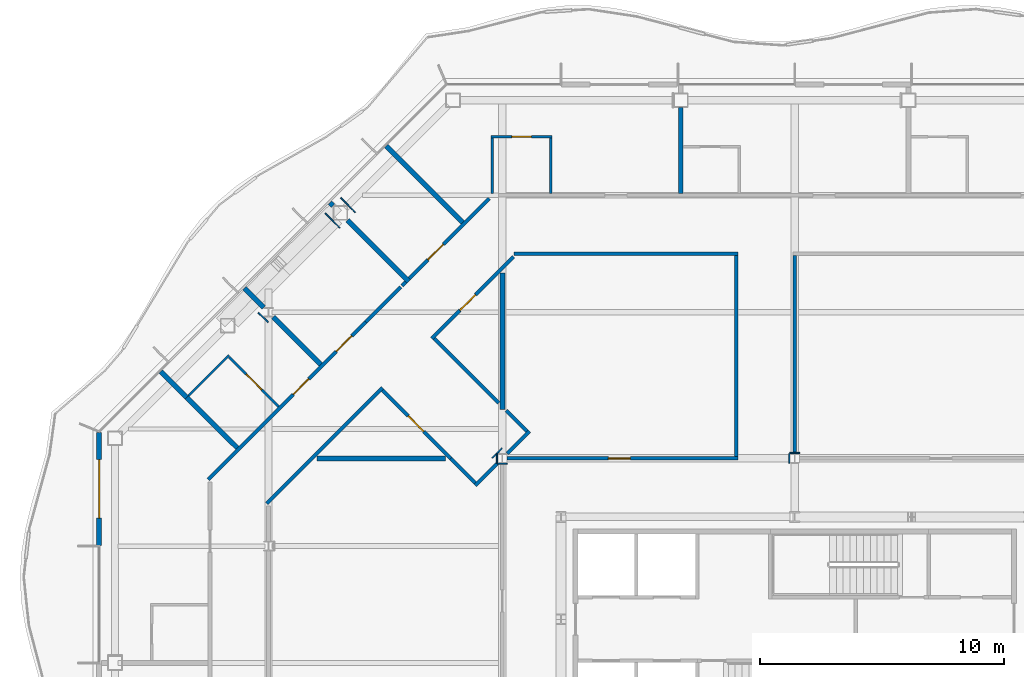
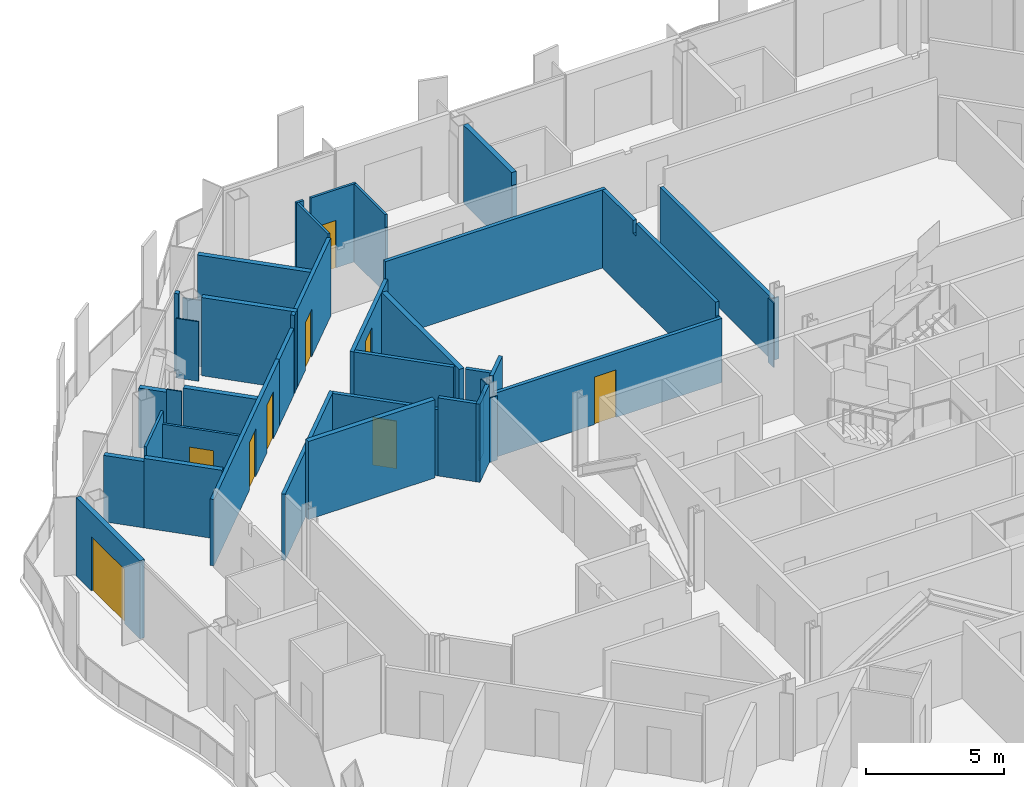
# One storey, part 12 of 21: 40 walls, 9 doors, 9 openings.
"""IFC4 building model written with IfcOpenShell, lengths in metres."""

import ifcopenshell
import ifcopenshell.guid

model = None  # the IFC model being written
_history = None  # IfcOwnerHistory: only IFC2X3 demands one
_inside = {}  # id of a spatial element -> (the spatial element, [elements in it])
_under = {}  # id of a project, library or spatial element -> (it, [spatial elements below it])
_declared = {}  # id of a project -> (the project, [libraries it declares])
_typed = {}  # id of a type object -> (the type object, [elements of that type])
_made_of = {}  # id of a material, layer set ... -> (it, [elements and type objects made of it])


def new_model(schema):
    """Start an empty IFC model of exactly this schema.

    Asked for "IFC4X3", IfcOpenShell would pick the latest addendum, in which some entities
    have other attributes; the version numbers below select the first issue.
    IFC2X3 requires an IfcOwnerHistory on every rooted entity: one is made here for all.
    """
    global model, _history
    if schema == "IFC4X3":
        model = ifcopenshell.file(schema_version=(4, 3, 0, 0))
    else:
        model = ifcopenshell.file(schema=schema)
    _inside.clear()
    _under.clear()
    _declared.clear()
    _typed.clear()
    _made_of.clear()
    _history = None
    if model.schema == "IFC2X3":
        org = make("IfcOrganization", Name="unknown")
        user = make(
            "IfcPersonAndOrganization",
            ThePerson=make("IfcPerson", FamilyName="unknown"),
            TheOrganization=org,
        )
        app = make(
            "IfcApplication",
            ApplicationDeveloper=org,
            Version="unknown",
            ApplicationFullName="unknown",
            ApplicationIdentifier="unknown",
        )
        _history = make(
            "IfcOwnerHistory",
            OwningUser=user,
            OwningApplication=app,
            ChangeAction="ADDED",
            CreationDate=0,
        )
    return model


def make(cls, **values):
    """One entity of the class cls with the attributes given. An attribute that is None is left unset."""
    return model.create_entity(
        cls, **{name: value for name, value in values.items() if value is not None}
    )


def rooted(cls, **values):
    """An entity with a GlobalId (a new one), such as an element, a storey or a relation."""
    return make(cls, GlobalId=ifcopenshell.guid.new(), OwnerHistory=_history, **values)


def si_unit(unit_type, name, prefix=None):
    """IfcSIUnit, for example si_unit("LENGTHUNIT", "METRE", prefix="MILLI")."""
    return make("IfcSIUnit", UnitType=unit_type, Prefix=prefix, Name=name)


def assignment(units):
    """IfcUnitAssignment: the units of a project."""
    return None if units is None else make("IfcUnitAssignment", Units=units)


def point(xyz):
    """IfcCartesianPoint."""
    return None if xyz is None else make("IfcCartesianPoint", Coordinates=xyz)


def direction(xyz):
    """IfcDirection."""
    return None if xyz is None else make("IfcDirection", DirectionRatios=xyz)


def frame(location, z_axis=None, x_axis=None):
    """IfcAxis2Placement3D, a coordinate frame: its origin and axes. An axis left out is left unset."""
    return make(
        "IfcAxis2Placement3D",
        Location=point(location),
        Axis=direction(z_axis),
        RefDirection=direction(x_axis),
    )


def frame_2d(location, x_axis=None):
    """IfcAxis2Placement2D, a coordinate frame in the plane: its origin and x axis."""
    return make(
        "IfcAxis2Placement2D", Location=point(location), RefDirection=direction(x_axis)
    )


def origin():
    """The frame at (0, 0, 0) with its axes left unset."""
    return frame((0.0, 0.0, 0.0))


def place(relative_to, where):
    """IfcLocalPlacement: puts the frame where relative to a parent placement (None: the world)."""
    return make(
        "IfcLocalPlacement", PlacementRelTo=relative_to, RelativePlacement=where
    )


def context(
    kind, dimensions, precision=None, world=None, true_north=None, identifier=None
):
    """IfcGeometricRepresentationContext, for example the 3D "Model" context."""
    return make(
        "IfcGeometricRepresentationContext",
        ContextIdentifier=identifier,
        ContextType=kind,
        CoordinateSpaceDimension=dimensions,
        Precision=precision,
        WorldCoordinateSystem=world,
        TrueNorth=true_north,
    )


def subcontext(parent, identifier, kind, view, scale=None):
    """IfcGeometricRepresentationSubContext, for example "Body" below "Model"."""
    return make(
        "IfcGeometricRepresentationSubContext",
        ContextIdentifier=identifier,
        ContextType=kind,
        ParentContext=parent,
        TargetScale=scale,
        TargetView=view,
    )


def project(units=None, contexts=None):
    """IfcProject with its units and contexts."""
    return rooted(
        "IfcProject",
        Name="project",
        RepresentationContexts=contexts,
        UnitsInContext=assignment(units),
    )


def spatial(cls, under=None, at=None, **own):
    """A site, building, storey or space (cls), placed at a placement, below another one or the project."""
    s = rooted(cls, ObjectPlacement=at, **own)
    if under is not None:
        _under.setdefault(under.id(), (under, []))[1].append(s)
    return s


def polyline(points):
    """IfcPolyline through the points."""
    return make("IfcPolyline", Points=[point(p) for p in points])


def profile(cls, at=None, kind="AREA", **sizes):
    """A parametric profile (cls). Its sizes go by their IFC names, for example OverallWidth=200.0."""
    return make(cls, ProfileType=kind, Position=at, **sizes)


def rectangle(**sizes):
    """IfcRectangleProfileDef."""
    return profile("IfcRectangleProfileDef", **sizes)


def outline(outer, holes=None, kind="AREA"):
    """IfcArbitraryClosedProfileDef: a profile drawn as a closed curve; with holes, ...WithVoids."""
    if holes is None:
        return make("IfcArbitraryClosedProfileDef", ProfileType=kind, OuterCurve=outer)
    return make(
        "IfcArbitraryProfileDefWithVoids",
        ProfileType=kind,
        OuterCurve=outer,
        InnerCurves=holes,
    )


def extrude(swept, where, along, depth):
    """IfcExtrudedAreaSolid: the profile swept, set in the frame where, extruded along a direction by depth."""
    return make(
        "IfcExtrudedAreaSolid",
        SweptArea=swept,
        Position=where,
        ExtrudedDirection=direction(along),
        Depth=depth,
    )


def shape(context_of_items, identifier, shape_type, items):
    """IfcShapeRepresentation: the items that make up one representation, for example the "Body"."""
    return make(
        "IfcShapeRepresentation",
        ContextOfItems=context_of_items,
        RepresentationIdentifier=identifier,
        RepresentationType=shape_type,
        Items=items,
    )


def material(Name=None, Category=None):
    """IfcMaterial."""
    return make("IfcMaterial", Name=Name, Category=Category)


def layer(
    of_material, thickness, ventilated=None, Name=None, Category=None, Priority=None
):
    """IfcMaterialLayer: one layer of a wall or slab, of a material (None: an air gap)."""
    return make(
        "IfcMaterialLayer",
        Material=of_material,
        LayerThickness=thickness,
        IsVentilated=ventilated,
        Name=Name,
        Category=Category,
        Priority=Priority,
    )


def layer_set(layers, Name=None):
    """IfcMaterialLayerSet."""
    return make("IfcMaterialLayerSet", MaterialLayers=layers, LayerSetName=Name)


def made_of(thing, what):
    """Note that an element or type object is made of a material, layer set ...; save() writes the relation."""
    if what is not None:
        _made_of.setdefault(what.id(), (what, []))[1].append(thing)
    return thing


def type_object(cls, material=None, **own):
    """A type object (cls), such as IfcWallType, which elements share."""
    return made_of(rooted(cls, **own), material)


def element(
    cls,
    number,
    at=None,
    inside=None,
    cuts=None,
    type_object=None,
    material=None,
    context=None,
    identifier="Body",
    shape_type=None,
    held_by="IfcProductDefinitionShape",
    body=None,
    shapes=None,
    **own,
):
    """One element of the class cls, such as IfcWall. Its Tag is "e" and its number.

    at: its placement. inside: the storey or other place that contains it. cuts: it is an
    opening in that element (IfcRelVoidsElement). A single representation is given by context,
    identifier, shape_type and body (its items); several are given by shapes. held_by: the class
    of the entity that holds the representations. save() writes the other relations.
    """
    e = rooted(cls, Tag="e%d" % number, ObjectPlacement=at, **own)
    if body is not None:
        shapes = [shape(context, identifier, shape_type, body)]
    if shapes is not None:
        e.Representation = make(held_by, Representations=shapes)
    if inside is not None:
        _inside.setdefault(inside.id(), (inside, []))[1].append(e)
    if cuts is not None:
        rooted(
            "IfcRelVoidsElement", RelatingBuildingElement=cuts, RelatedOpeningElement=e
        )
    if type_object is not None:
        _typed.setdefault(type_object.id(), (type_object, []))[1].append(e)
    return made_of(e, material)


def fill(opening, filler):
    """IfcRelFillsElement: the door or window that sits in an opening."""
    return rooted(
        "IfcRelFillsElement",
        RelatingOpeningElement=opening,
        RelatedBuildingElement=filler,
    )


def aggregate(whole, parts):
    """IfcRelAggregates: a whole, such as a stair, and the parts it consists of."""
    return rooted("IfcRelAggregates", RelatingObject=whole, RelatedObjects=parts)


def save(model, path):
    """Write the relations noted so far, then the file.

    IfcRelAggregates (storeys below a building ...), IfcRelContainedInSpatialStructure (elements
    in a storey), IfcRelDefinesByType, IfcRelAssociatesMaterial and IfcRelDeclares: one each for
    every whole, place, type object, material and project.
    """
    for whole, parts in _under.values():
        aggregate(whole, parts)
    for where, things in _inside.values():
        rooted(
            "IfcRelContainedInSpatialStructure",
            RelatedElements=things,
            RelatingStructure=where,
        )
    for kind, things in _typed.values():
        rooted("IfcRelDefinesByType", RelatedObjects=things, RelatingType=kind)
    for what, things in _made_of.values():
        rooted("IfcRelAssociatesMaterial", RelatedObjects=things, RelatingMaterial=what)
    for by, libraries in _declared.values():
        rooted("IfcRelDeclares", RelatingContext=by, RelatedDefinitions=libraries)
    model.write(path)


model = new_model("IFC4")

# Units and contexts
model_context = context("Model", 3, precision=1e-05, world=origin(), true_north=direction((0.0, 1.0)))
body_context = subcontext(model_context, "Body", "Model", "MODEL_VIEW")
ifc_project = project(units=[si_unit("LENGTHUNIT", "METRE"), si_unit("AREAUNIT", "SQUARE_METRE"), si_unit("VOLUMEUNIT", "CUBIC_METRE"), si_unit("PLANEANGLEUNIT", "RADIAN"), si_unit("MASSUNIT", "GRAM", prefix="KILO")], contexts=[model_context])

# Site, building, storey
site_placement = place(None, origin())
site = spatial("IfcSite", under=ifc_project, at=site_placement, CompositionType="ELEMENT")
building_placement = place(site_placement, origin())
building = spatial("IfcBuilding", under=site, at=building_placement, Name="Cairn Pilgrim Tower", CompositionType="ELEMENT")
storey_placement = place(building_placement, frame((0.0, 0.0, 168.60009765625)))
storey = spatial("IfcBuildingStorey", under=building, at=storey_placement, Name="L42", CompositionType="ELEMENT", Elevation=168.60009765625)

# Wall, opening, door
ifc_material_1 = material(Name="Bronze anodised aluminium insulated sandwich panel with mineral wool fill", Category="aluminium")
ifc_layer_1 = layer(ifc_material_1, 0.199951171875)
ifc_layer_set_1 = layer_set([ifc_layer_1], Name="BRONZE INFILL FRAME WALL 200")
wall_type_1 = type_object("IfcWallType", Name="BRONZE INFILL FRAME WALL 200", PredefinedType="NOTDEFINED", material=ifc_layer_set_1)
wall_1_placement = place(storey_placement, frame((-21.35009765625, 14.25634765625, 0.0), z_axis=(0.0, 0.0, 1.0), x_axis=(0.0, -1.0, 0.0)))
wall_1 = element("IfcWall", 1, at=wall_1_placement, inside=storey, type_object=wall_type_1, Name="Bronze infill frame wall IW-W1", PredefinedType="NOTDEFINED", context=body_context, shape_type="SweptSolid", body=[
    extrude(rectangle(XDim=4.62646484375, YDim=0.199951171875, at=frame_2d((2.313232421875, 0.0))), origin(), (0.0, 0.0, 1.0), 3.449951171875),
])
opening_1_placement = place(wall_1_placement, frame((1.1083984375, 0.0, 0.0)))
opening_1 = element("IfcOpeningElement", 2, at=opening_1_placement, cuts=wall_1, Name="Opening 4218B", PredefinedType="OPENING", context=body_context, shape_type="SweptSolid", body=[
    extrude(rectangle(XDim=2.39990234375, YDim=2.39990234375, at=frame_2d((1.199951171875, 1.199951171875))), frame((0.0, 0.10986328125, 0.0), z_axis=(0.0, -1.0, 0.0), x_axis=(1.0, 0.0, 0.0)), (0.0, 0.0, 1.0), 0.219970703125),
])
ifc_material_2 = material(Name="Bronze anodised aluminium frame with tinted low-E glass", Category="aluminium")
door_type_1 = type_object("IfcDoorType", Name="BALCONY SLIDING DOOR 2400x2400", OperationType="DOUBLE_DOOR_SLIDING", PredefinedType="DOOR", material=ifc_material_2)
door_1_placement = place(opening_1_placement, origin())
door_1 = element("IfcDoor", 3, at=door_1_placement, inside=storey, type_object=door_type_1, Name="Balcony sliding door 4218B", OperationType="SINGLE_SWING_LEFT", OverallHeight=2.39990234375, OverallWidth=2.39990234375, PredefinedType="DOOR", context=body_context, shape_type="SweptSolid", body=[
    extrude(rectangle(XDim=2.39990234375, YDim=2.39990234375, at=frame_2d((1.199951171875, 1.199951171875))), frame((0.0, 0.02490234375, 0.0), z_axis=(0.0, -1.0, 0.0), x_axis=(1.0, 0.0, 0.0)), (0.0, 0.0, 1.0), 0.050048828125),
])
fill(opening_1, door_1)

ifc_material_3 = material(Name="Gypsum partition")
ifc_layer_2 = layer(ifc_material_3, 0.10009765625)
ifc_layer_set_2 = layer_set([ifc_layer_2], Name="PARTITION 100 DRYWALL")
wall_type_2 = type_object("IfcWallType", Name="PARTITION 100 DRYWALL", PredefinedType="PARTITIONING", material=ifc_layer_set_2)
wall_2_placement = place(storey_placement, frame((-13.986083984375, 15.33203125, 0.0), z_axis=(0.0, 0.0, 1.0), x_axis=(-0.707106781187, 0.707106781187, 0.0)))
wall_2 = element("IfcWall", 4, at=wall_2_placement, inside=storey, type_object=wall_type_2, Name="PARTITION W093", PredefinedType="PARTITIONING", context=body_context, shape_type="SweptSolid", body=[
    extrude(rectangle(XDim=2.874267578125, YDim=0.10009765625, at=frame_2d((1.43701171875, 0.0))), origin(), (0.0, 0.0, 1.0), 2.929931640625),
])
opening_2_placement = place(wall_2_placement, frame((0.97509765625, 0.0, 0.0)))
opening_2 = element("IfcOpeningElement", 5, at=opening_2_placement, cuts=wall_2, Name="Opening 4217A", PredefinedType="OPENING", context=body_context, shape_type="SweptSolid", body=[
    extrude(rectangle(XDim=0.89990234375, YDim=2.10009765625, at=frame_2d((0.449951171875, 1.050048828125))), frame((0.0, 0.06005859375, 0.0), z_axis=(0.0, -1.0, 0.0), x_axis=(1.0, 0.0, 0.0)), (0.0, 0.0, 1.0), 0.1201171875),
])
ifc_material_4 = material(Name="Timber door leaf", Category="wood")
door_type_2 = type_object("IfcDoorType", Name="WC DOOR 900x2100", OperationType="NOTDEFINED", PredefinedType="DOOR", material=ifc_material_4)
door_2_placement = place(opening_2_placement, frame((0.89990234375, 0.0, 0.0), z_axis=(0.0, 0.0, 1.0), x_axis=(-1.0, 0.0, 0.0)))
door_2 = element("IfcDoor", 6, at=door_2_placement, inside=storey, type_object=door_type_2, Name="DOOR 4217A", OperationType="SINGLE_SWING_LEFT", OverallHeight=2.10009765625, OverallWidth=0.89990234375, PredefinedType="DOOR", context=body_context, shape_type="SweptSolid", body=[
    extrude(rectangle(XDim=0.89990234375, YDim=2.10009765625, at=frame_2d((0.449951171875, 1.050048828125))), frame((0.0, 0.02490234375, 0.0), z_axis=(0.0, -1.0, 0.0), x_axis=(1.0, 0.0, 0.0)), (0.0, 0.0, 1.0), 0.050048828125),
])
fill(opening_2, door_2)

# Walls
wall_3_placement = place(storey_placement, frame((-17.681396484375, 15.773681640625, 0.0), z_axis=(0.0, 0.0, 1.0), x_axis=(0.707314478862, 0.706899022487, 0.0)))
element("IfcWall", 7, at=wall_3_placement, inside=storey, type_object=wall_type_2, Name="PARTITION W097", PredefinedType="PARTITIONING", context=body_context, shape_type="SweptSolid", body=[
    extrude(rectangle(XDim=2.3505859375, YDim=0.10009765625, at=frame_2d((1.17529296875, 0.0))), origin(), (0.0, 0.0, 1.0), 3.449951171875),
])
wall_4_placement = place(storey_placement, frame((-5.2119140625, 24.074951171875, 0.0), z_axis=(0.0, 0.0, 1.0), x_axis=(0.0, 1.0, 0.0)))
element("IfcWall", 8, at=wall_4_placement, inside=storey, type_object=wall_type_2, Name="PARTITION W121", PredefinedType="PARTITIONING", context=body_context, shape_type="SweptSolid", body=[
    extrude(outline(polyline([(0.0, 0.0), (2.275146484375, 0.0), (2.27490234375, 3.449951171875), (0.010009765625, 3.449951171875), (0.008056640625, 3.06982421875), (0.0, 3.06982421875), (0.0, 0.0)])), frame((0.0, 0.050048828125, 0.0), z_axis=(0.0, -1.0, 0.0), x_axis=(1.0, 0.0, 0.0)), (0.0, 0.0, 1.0), 0.10009765625),
])
wall_5_placement = place(storey_placement, frame((-2.81201171875, 24.074951171875, 0.0), z_axis=(0.0, 0.0, 1.0), x_axis=(0.0, 1.0, 0.0)))
element("IfcWall", 9, at=wall_5_placement, inside=storey, type_object=wall_type_2, Name="PARTITION W122", PredefinedType="PARTITIONING", context=body_context, shape_type="SweptSolid", body=[
    extrude(outline(polyline([(0.0, 0.0), (2.275146484375, 0.0), (2.27490234375, 3.449951171875), (0.030029296875, 3.449951171875), (0.028076171875, 2.8798828125), (0.0, 2.8798828125), (0.0, 0.0)])), frame((0.0, 0.050048828125, 0.0), z_axis=(0.0, -1.0, 0.0), x_axis=(1.0, 0.0, 0.0)), (0.0, 0.0, 1.0), 0.10009765625),
])

# Wall, opening, door
wall_6_placement = place(storey_placement, frame((-5.261962890625, 26.39990234375, 0.0), z_axis=(0.0, 0.0, 1.0), x_axis=(1.0, 0.0, 0.0)))
wall_6 = element("IfcWall", 10, at=wall_6_placement, inside=storey, type_object=wall_type_2, Name="PARTITION W128", PredefinedType="PARTITIONING", context=body_context, shape_type="SweptSolid", body=[
    extrude(outline(polyline([(0.0, 0.0), (2.5, 0.0), (2.5, 3.449951171875), (0.612060546875, 3.449951171875), (0.610107421875, 2.72998046875), (0.31201171875, 2.72998046875), (0.31005859375, 3.449951171875), (0.0, 3.449951171875), (0.0, 0.0)])), frame((0.0, 0.050048828125, 0.0), z_axis=(0.0, -1.0, 0.0), x_axis=(1.0, 0.0, 0.0)), (0.0, 0.0, 1.0), 0.10009765625),
])
opening_3_placement = place(wall_6_placement, frame((0.85009765625, 0.0, 0.0)))
opening_3 = element("IfcOpeningElement", 11, at=opening_3_placement, cuts=wall_6, Name="Opening 4214A", PredefinedType="OPENING", context=body_context, shape_type="SweptSolid", body=[
    extrude(rectangle(XDim=0.800048828125, YDim=2.10009765625, at=frame_2d((0.39990234375, 1.050048828125))), frame((0.0, 0.06005859375, 0.0), z_axis=(0.0, -1.0, 0.0), x_axis=(1.0, 0.0, 0.0)), (0.0, 0.0, 1.0), 0.1201171875),
])
door_type_3 = type_object("IfcDoorType", Name="WC DOOR 800x2100", OperationType="NOTDEFINED", PredefinedType="DOOR", material=ifc_material_4)
door_3_placement = place(opening_3_placement, origin())
door_3 = element("IfcDoor", 12, at=door_3_placement, inside=storey, type_object=door_type_3, Name="DOOR 4214A", OperationType="SINGLE_SWING_LEFT", OverallHeight=2.10009765625, OverallWidth=0.800048828125, PredefinedType="DOOR", context=body_context, shape_type="SweptSolid", body=[
    extrude(rectangle(XDim=0.800048828125, YDim=2.10009765625, at=frame_2d((0.39990234375, 1.050048828125))), frame((0.0, 0.02490234375, 0.0), z_axis=(0.0, -1.0, 0.0), x_axis=(1.0, 0.0, 0.0)), (0.0, 0.0, 1.0), 0.050048828125),
])
fill(opening_3, door_3)

# Walls
ifc_layer_3 = layer(ifc_material_3, 0.14990234375)
ifc_layer_set_3 = layer_set([ifc_layer_3], Name="PARTITION 150 DRYWALL EI 60")
wall_type_3 = type_object("IfcWallType", Name="PARTITION 150 DRYWALL EI 60", PredefinedType="PARTITIONING", material=ifc_layer_set_3)
wall_7_placement = place(storey_placement, frame((-14.47509765625, 11.343017578125, 0.0), z_axis=(0.0, 0.0, 1.0), x_axis=(0.707124921665, 0.707088640243, 0.0)))
element("IfcWall", 13, at=wall_7_placement, inside=storey, type_object=wall_type_3, Name="PARTITION W069", PredefinedType="PARTITIONING", context=body_context, shape_type="SweptSolid", body=[
    extrude(rectangle(XDim=6.72900390625, YDim=0.14990234375, at=frame_2d((3.364501953125, 0.0))), origin(), (0.0, 0.0, 1.0), 2.929931640625),
])
wall_8_placement = place(storey_placement, frame((-5.9140625, 12.0859375, 0.0), z_axis=(0.0, 0.0, 1.0), x_axis=(0.707106781187, 0.707106781187, 0.0)))
element("IfcWall", 14, at=wall_8_placement, inside=storey, type_object=wall_type_3, Name="PARTITION W071", PredefinedType="PARTITIONING", context=body_context, shape_type="SweptSolid", body=[
    extrude(rectangle(XDim=1.29541015625, YDim=0.14990234375, at=frame_2d((0.647705078125, 0.0))), origin(), (0.0, 0.0, 1.0), 3.449951171875),
])
wall_9_placement = place(storey_placement, frame((-5.9140625, 12.192138671875, 0.0), z_axis=(0.0, 0.0, 1.0), x_axis=(-0.706763941595, 0.707449454633, 0.0)))
element("IfcWall", 15, at=wall_9_placement, inside=storey, type_object=wall_type_3, Name="PARTITION W073", PredefinedType="PARTITIONING", context=body_context, shape_type="SweptSolid", body=[
    extrude(rectangle(XDim=1.424560546875, YDim=0.14990234375, at=frame_2d((0.71240234375, 0.0))), origin(), (0.0, 0.0, 1.0), 3.449951171875),
])

# Wall, openings, doors
wall_10_placement = place(storey_placement, frame((-16.875, 12.3369140625, 0.0), z_axis=(0.0, 0.0, 1.0), x_axis=(0.707106781187, 0.707106781187, 0.0)))
wall_10 = element("IfcWall", 16, at=wall_10_placement, inside=storey, type_object=wall_type_3, Name="PARTITION W075", PredefinedType="PARTITIONING", context=body_context, shape_type="SweptSolid", body=[
    extrude(rectangle(XDim=9.1484375, YDim=0.14990234375, at=frame_2d((4.57421875, 0.0))), origin(), (0.0, 0.0, 1.0), 2.929931640625),
])
opening_4_placement = place(wall_10_placement, frame((7.426025390625, 0.0, 0.0)))
opening_4 = element("IfcOpeningElement", 17, at=opening_4_placement, cuts=wall_10, Name="Opening 4216", PredefinedType="OPENING", context=body_context, shape_type="SweptSolid", body=[
    extrude(rectangle(XDim=0.89990234375, YDim=2.10009765625, at=frame_2d((0.449951171875, 1.050048828125))), frame((0.0, 0.0849609375, 0.0), z_axis=(0.0, -1.0, 0.0), x_axis=(1.0, 0.0, 0.0)), (0.0, 0.0, 1.0), 0.169921875),
])
opening_5_placement = place(wall_10_placement, frame((4.931640625, 0.0, 0.0)))
opening_5 = element("IfcOpeningElement", 18, at=opening_5_placement, cuts=wall_10, Name="Opening 4217", PredefinedType="OPENING", context=body_context, shape_type="SweptSolid", body=[
    extrude(rectangle(XDim=0.89990234375, YDim=2.10009765625, at=frame_2d((0.449951171875, 1.050048828125))), frame((0.0, 0.0849609375, 0.0), z_axis=(0.0, -1.0, 0.0), x_axis=(1.0, 0.0, 0.0)), (0.0, 0.0, 1.0), 0.169921875),
])
door_type_4 = type_object("IfcDoorType", Name="ROOM DOOR 900x2100 FD30S", OperationType="NOTDEFINED", PredefinedType="DOOR", material=ifc_material_4)
door_4_placement = place(opening_5_placement, origin())
door_4 = element("IfcDoor", 19, at=door_4_placement, inside=storey, type_object=door_type_4, Name="DOOR 4217", OperationType="SINGLE_SWING_LEFT", OverallHeight=2.10009765625, OverallWidth=0.89990234375, PredefinedType="DOOR", context=body_context, shape_type="SweptSolid", body=[
    extrude(rectangle(XDim=0.89990234375, YDim=2.10009765625, at=frame_2d((0.449951171875, 1.050048828125))), frame((0.0, 0.02490234375, 0.0), z_axis=(0.0, -1.0, 0.0), x_axis=(1.0, 0.0, 0.0)), (0.0, 0.0, 1.0), 0.050048828125),
])
fill(opening_5, door_4)
door_type_5 = type_object("IfcDoorType", Name="SERVICE DOOR 900x2100 FD30S", OperationType="NOTDEFINED", PredefinedType="DOOR", material=ifc_material_4)
door_5_placement = place(opening_4_placement, origin())
door_5 = element("IfcDoor", 20, at=door_5_placement, inside=storey, type_object=door_type_5, Name="DOOR 4216", OperationType="SINGLE_SWING_LEFT", OverallHeight=2.10009765625, OverallWidth=0.89990234375, PredefinedType="DOOR", context=body_context, shape_type="SweptSolid", body=[
    extrude(rectangle(XDim=0.89990234375, YDim=2.10009765625, at=frame_2d((0.449951171875, 1.050048828125))), frame((0.0, 0.02490234375, 0.0), z_axis=(0.0, -1.0, 0.0), x_axis=(1.0, 0.0, 0.0)), (0.0, 0.0, 1.0), 0.050048828125),
])
fill(opening_4, door_5)

# Wall, opening, door
wall_11_placement = place(storey_placement, frame((-6.9208984375, 13.199951171875, 0.0), z_axis=(0.0, 0.0, 1.0), x_axis=(-0.707230271715, 0.706983269088, 0.0)))
wall_11 = element("IfcWall", 21, at=wall_11_placement, inside=storey, type_object=wall_type_3, Name="PARTITION W078", PredefinedType="PARTITIONING", context=body_context, shape_type="SweptSolid", body=[
    extrude(rectangle(XDim=3.95361328125, YDim=0.14990234375, at=frame_2d((1.976806640625, 0.0))), origin(), (0.0, 0.0, 1.0), 2.929931640625),
])
opening_6_placement = place(wall_11_placement, frame((1.56396484375, 0.0, 0.0)))
opening_6 = element("IfcOpeningElement", 22, at=opening_6_placement, cuts=wall_11, Name="Opening 4234", PredefinedType="OPENING", context=body_context, shape_type="SweptSolid", body=[
    extrude(rectangle(XDim=0.89990234375, YDim=2.10009765625, at=frame_2d((0.449951171875, 1.050048828125))), frame((0.0, 0.0849609375, 0.0), z_axis=(0.0, -1.0, 0.0), x_axis=(1.0, 0.0, 0.0)), (0.0, 0.0, 1.0), 0.169921875),
])
door_6_placement = place(opening_6_placement, origin())
door_6 = element("IfcDoor", 23, at=door_6_placement, inside=storey, type_object=door_type_5, Name="DOOR 4234", OperationType="SINGLE_SWING_LEFT", OverallHeight=2.10009765625, OverallWidth=0.89990234375, PredefinedType="DOOR", context=body_context, shape_type="SweptSolid", body=[
    extrude(rectangle(XDim=0.89990234375, YDim=2.10009765625, at=frame_2d((0.449951171875, 1.050048828125))), frame((0.0, 0.02490234375, 0.0), z_axis=(0.0, -1.0, 0.0), x_axis=(1.0, 0.0, 0.0)), (0.0, 0.0, 1.0), 0.050048828125),
])
fill(opening_6, door_6)

wall_12_placement = place(storey_placement, frame((-4.6005859375, 13.199951171875, 0.0), z_axis=(0.0, 0.0, 1.0), x_axis=(1.0, 0.0, 0.0)))
wall_12 = element("IfcWall", 24, at=wall_12_placement, inside=storey, type_object=wall_type_3, Name="PARTITION W079", PredefinedType="PARTITIONING", context=body_context, shape_type="SweptSolid", body=[
    extrude(rectangle(XDim=9.4755859375, YDim=0.14990234375, at=frame_2d((4.73779296875, 0.0))), origin(), (0.0, 0.0, 1.0), 2.829833984375),
])
opening_7_placement = place(wall_12_placement, frame((4.150634765625, 0.0, 0.0)))
opening_7 = element("IfcOpeningElement", 25, at=opening_7_placement, cuts=wall_12, Name="Opening 4232", PredefinedType="OPENING", context=body_context, shape_type="SweptSolid", body=[
    extrude(rectangle(XDim=0.89990234375, YDim=2.10009765625, at=frame_2d((0.449951171875, 1.050048828125))), frame((0.0, 0.0849609375, 0.0), z_axis=(0.0, -1.0, 0.0), x_axis=(1.0, 0.0, 0.0)), (0.0, 0.0, 1.0), 0.169921875),
])
door_7_placement = place(opening_7_placement, origin())
door_7 = element("IfcDoor", 26, at=door_7_placement, inside=storey, type_object=door_type_5, Name="DOOR 4232", OperationType="SINGLE_SWING_LEFT", OverallHeight=2.10009765625, OverallWidth=0.89990234375, PredefinedType="DOOR", context=body_context, shape_type="SweptSolid", body=[
    extrude(rectangle(XDim=0.89990234375, YDim=2.10009765625, at=frame_2d((0.449951171875, 1.050048828125))), frame((0.0, 0.02490234375, 0.0), z_axis=(0.0, -1.0, 0.0), x_axis=(1.0, 0.0, 0.0)), (0.0, 0.0, 1.0), 0.050048828125),
])
fill(opening_7, door_7)

# Walls
wall_13_placement = place(storey_placement, frame((4.800048828125, 13.27490234375, 0.0), z_axis=(0.0, 0.0, 1.0), x_axis=(0.0, 1.0, 0.0)))
element("IfcWall", 27, at=wall_13_placement, inside=storey, type_object=wall_type_3, Name="PARTITION W082", PredefinedType="PARTITIONING", context=body_context, shape_type="SweptSolid", body=[
    extrude(outline(polyline([(0.0, 0.0), (8.25, 0.0), (8.25, 3.449951171875), (6.030029296875, 3.449951171875), (6.028076171875, 2.8798828125), (5.820068359375, 2.8798828125), (5.818115234375, 3.449951171875), (0.074951171875, 3.449951171875), (0.072998046875, 2.829833984375), (0.0, 2.829833984375), (0.0, 0.0)])), frame((0.0, 0.074951171875, 0.0), z_axis=(0.0, -1.0, 0.0), x_axis=(1.0, 0.0, 0.0)), (0.0, 0.0, 1.0), 0.14990234375),
])
wall_14_placement = place(storey_placement, frame((-4.60205078125, 13.39794921875, 0.0), z_axis=(0.0, 0.0, 1.0), x_axis=(0.707106781187, 0.707106781187, 0.0)))
element("IfcWall", 28, at=wall_14_placement, inside=storey, type_object=wall_type_3, Name="PARTITION W083", PredefinedType="PARTITIONING", context=body_context, shape_type="SweptSolid", body=[
    extrude(rectangle(XDim=1.2958984375, YDim=0.14990234375, at=frame_2d((0.64794921875, 0.0))), origin(), (0.0, 0.0, 1.0), 3.449951171875),
])
wall_15_placement = place(storey_placement, frame((7.199951171875, 13.396484375, 0.0), z_axis=(0.0, 0.0, 1.0), x_axis=(0.0, 1.0, 0.0)))
element("IfcWall", 29, at=wall_15_placement, inside=storey, type_object=wall_type_3, Name="PARTITION W084", PredefinedType="PARTITIONING", context=body_context, shape_type="SweptSolid", body=[
    extrude(rectangle(XDim=8.12841796875, YDim=0.14990234375, at=frame_2d((4.064208984375, 0.0))), origin(), (0.0, 0.0, 1.0), 2.72998046875),
])
wall_16_placement = place(storey_placement, frame((-3.7919921875, 14.31396484375, 0.0), z_axis=(0.0, 0.0, 1.0), x_axis=(-0.707409718716, 0.706803713817, 0.0)))
element("IfcWall", 30, at=wall_16_placement, inside=storey, type_object=wall_type_3, Name="PARTITION W090", PredefinedType="PARTITIONING", context=body_context, shape_type="SweptSolid", body=[
    extrude(rectangle(XDim=1.20849609375, YDim=0.14990234375, at=frame_2d((0.604248046875, 0.0))), origin(), (0.0, 0.0, 1.0), 2.72998046875),
])
wall_17_placement = place(storey_placement, frame((-4.952880859375, 15.47412109375, 0.0), z_axis=(0.0, 0.0, 1.0), x_axis=(-0.707008778354, 0.707204770438, 0.0)))
element("IfcWall", 31, at=wall_17_placement, inside=storey, type_object=wall_type_3, Name="PARTITION W094", PredefinedType="PARTITIONING", context=body_context, shape_type="SweptSolid", body=[
    extrude(rectangle(XDim=3.737060546875, YDim=0.14990234375, at=frame_2d((1.86865234375, 0.0))), origin(), (0.0, 0.0, 1.0), 2.72998046875),
])

# Wall, opening, door
wall_18_placement = place(storey_placement, frame((-7.700927734375, 18.116943359375, 0.0), z_axis=(0.0, 0.0, 1.0), x_axis=(0.707106781187, 0.707106781187, 0.0)))
wall_18 = element("IfcWall", 32, at=wall_18_placement, inside=storey, type_object=wall_type_3, Name="PARTITION W102", PredefinedType="PARTITIONING", context=body_context, shape_type="SweptSolid", body=[
    extrude(rectangle(XDim=4.74462890625, YDim=0.14990234375, at=frame_2d((2.372314453125, 0.0))), origin(), (0.0, 0.0, 1.0), 2.72998046875),
])
opening_8_placement = place(wall_18_placement, frame((1.638671875, 0.0, 0.0)))
opening_8 = element("IfcOpeningElement", 33, at=opening_8_placement, cuts=wall_18, Name="Opening 4233", PredefinedType="OPENING", context=body_context, shape_type="SweptSolid", body=[
    extrude(rectangle(XDim=0.89990234375, YDim=2.10009765625, at=frame_2d((0.449951171875, 1.050048828125))), frame((0.0, 0.0849609375, 0.0), z_axis=(0.0, -1.0, 0.0), x_axis=(1.0, 0.0, 0.0)), (0.0, 0.0, 1.0), 0.169921875),
])
door_8_placement = place(opening_8_placement, frame((0.89990234375, 0.0, 0.0), z_axis=(0.0, 0.0, 1.0), x_axis=(-1.0, 0.0, 0.0)))
door_8 = element("IfcDoor", 34, at=door_8_placement, inside=storey, type_object=door_type_5, Name="DOOR 4233", OperationType="SINGLE_SWING_LEFT", OverallHeight=2.10009765625, OverallWidth=0.89990234375, PredefinedType="DOOR", context=body_context, shape_type="SweptSolid", body=[
    extrude(rectangle(XDim=0.89990234375, YDim=2.10009765625, at=frame_2d((0.449951171875, 1.050048828125))), frame((0.0, 0.02490234375, 0.0), z_axis=(0.0, -1.0, 0.0), x_axis=(1.0, 0.0, 0.0)), (0.0, 0.0, 1.0), 0.050048828125),
])
fill(opening_8, door_8)

# Walls
wall_19_placement = place(storey_placement, frame((-10.406005859375, 18.805908203125, 0.0), z_axis=(0.0, 0.0, 1.0), x_axis=(0.707408152147, 0.706805281726, 0.0)))
element("IfcWall", 35, at=wall_19_placement, inside=storey, type_object=wall_type_3, Name="PARTITION W106", PredefinedType="PARTITIONING", context=body_context, shape_type="SweptSolid", body=[
    extrude(rectangle(XDim=2.02490234375, YDim=0.14990234375, at=frame_2d((1.012451171875, 0.0))), origin(), (0.0, 0.0, 1.0), 2.929931640625),
])
wall_20_placement = place(storey_placement, frame((-8.921142578125, 20.29052734375, 0.0), z_axis=(0.0, 0.0, 1.0), x_axis=(0.706555431121, 0.707657701684, 0.0)))
element("IfcWall", 36, at=wall_20_placement, inside=storey, type_object=wall_type_3, Name="PARTITION W110", PredefinedType="PARTITIONING", context=body_context, shape_type="SweptSolid", body=[
    extrude(rectangle(XDim=0.221435546875, YDim=0.14990234375, at=frame_2d((0.11083984375, 0.0))), origin(), (0.0, 0.0, 1.0), 3.449951171875),
])

# Wall, opening, door
wall_21_placement = place(storey_placement, frame((-8.623291015625, 20.588623046875, 0.0), z_axis=(0.0, 0.0, 1.0), x_axis=(0.707106781187, 0.707106781187, 0.0)))
wall_21 = element("IfcWall", 37, at=wall_21_placement, inside=storey, type_object=wall_type_3, Name="PARTITION W113", PredefinedType="PARTITIONING", context=body_context, shape_type="SweptSolid", body=[
    extrude(rectangle(XDim=4.64306640625, YDim=0.14990234375, at=frame_2d((2.321533203125, 0.0))), origin(), (0.0, 0.0, 1.0), 3.449951171875),
])
opening_9_placement = place(wall_21_placement, frame((1.0849609375, 0.0, 0.0)))
opening_9 = element("IfcOpeningElement", 38, at=opening_9_placement, cuts=wall_21, Name="Opening 4215", PredefinedType="OPENING", context=body_context, shape_type="SweptSolid", body=[
    extrude(rectangle(XDim=0.89990234375, YDim=2.10009765625, at=frame_2d((0.449951171875, 1.050048828125))), frame((0.0, 0.0849609375, 0.0), z_axis=(0.0, -1.0, 0.0), x_axis=(1.0, 0.0, 0.0)), (0.0, 0.0, 1.0), 0.169921875),
])
door_9_placement = place(opening_9_placement, origin())
door_9 = element("IfcDoor", 39, at=door_9_placement, inside=storey, type_object=door_type_4, Name="DOOR 4215", OperationType="SINGLE_SWING_LEFT", OverallHeight=2.10009765625, OverallWidth=0.89990234375, PredefinedType="DOOR", context=body_context, shape_type="SweptSolid", body=[
    extrude(rectangle(XDim=0.89990234375, YDim=2.10009765625, at=frame_2d((0.449951171875, 1.050048828125))), frame((0.0, 0.02490234375, 0.0), z_axis=(0.0, -1.0, 0.0), x_axis=(1.0, 0.0, 0.0)), (0.0, 0.0, 1.0), 0.050048828125),
])
fill(opening_9, door_9)

# Walls
wall_22_placement = place(storey_placement, frame((-4.32421875, 21.60009765625, 0.0), z_axis=(0.0, 0.0, 1.0), x_axis=(1.0, 0.0, 0.0)))
element("IfcWall", 40, at=wall_22_placement, inside=storey, type_object=wall_type_3, Name="PARTITION W115", PredefinedType="PARTITIONING", context=body_context, shape_type="SweptSolid", body=[
    extrude(rectangle(XDim=9.19921875, YDim=0.14990234375, at=frame_2d((4.599609375, 0.0))), origin(), (0.0, 0.0, 1.0), 3.449951171875),
])
ifc_layer_4 = layer(ifc_material_3, 0.050048828125)
ifc_layer_set_4 = layer_set([ifc_layer_4], Name="PARTITION 50 DRYWALL EI 60")
wall_type_4 = type_object("IfcWallType", Name="PARTITION 50 DRYWALL EI 60", PredefinedType="PARTITIONING", material=ifc_layer_set_4)
wall_23_placement = place(storey_placement, frame((-5.0244140625, 13.00341796875, 0.0), z_axis=(0.0, 0.0, 1.0), x_axis=(0.0, 1.0, 0.0)))
element("IfcWall", 41, at=wall_23_placement, inside=storey, type_object=wall_type_4, Name="COLUMN CASING WC19", PredefinedType="PARTITIONING", context=body_context, shape_type="SweptSolid", body=[
    extrude(rectangle(XDim=0.39306640625, YDim=0.050048828125, at=frame_2d((0.196533203125, 0.0))), origin(), (0.0, 0.0, 1.0), 3.449951171875),
])
wall_24_placement = place(storey_placement, frame((-5.213623046875, 13.2177734375, 0.0), z_axis=(0.0, 0.0, 1.0), x_axis=(0.707106781187, 0.707106781187, 0.0)))
element("IfcWall", 42, at=wall_24_placement, inside=storey, type_object=wall_type_4, Name="COLUMN CASING WC27", PredefinedType="PARTITIONING", context=body_context, shape_type="SweptSolid", body=[
    extrude(rectangle(XDim=0.56005859375, YDim=0.050048828125, at=frame_2d((0.280029296875, 0.0))), origin(), (0.0, 0.0, 1.0), 2.72998046875),
])
wall_25_placement = place(storey_placement, frame((-4.99951171875, 12.978515625, 0.0), z_axis=(0.0, 0.0, 1.0), x_axis=(1.0, 0.0, 0.0)))
element("IfcWall", 43, at=wall_25_placement, inside=storey, type_object=wall_type_4, Name="COLUMN CASING WC29", PredefinedType="PARTITIONING", context=body_context, shape_type="SweptSolid", body=[
    extrude(rectangle(XDim=0.39892578125, YDim=0.050048828125, at=frame_2d((0.199462890625, 0.0))), origin(), (0.0, 0.0, 1.0), 2.829833984375),
])
wall_26_placement = place(storey_placement, frame((7.00048828125, 13.42138671875, 0.0), z_axis=(0.0, 0.0, 1.0), x_axis=(1.0, 0.0, 0.0)))
element("IfcWall", 44, at=wall_26_placement, inside=storey, type_object=wall_type_4, Name="COLUMN CASING WC30", PredefinedType="PARTITIONING", context=body_context, shape_type="SweptSolid", body=[
    extrude(rectangle(XDim=0.39892578125, YDim=0.050048828125, at=frame_2d((0.199462890625, 0.0))), origin(), (0.0, 0.0, 1.0), 2.72998046875),
])
wall_27_placement = place(storey_placement, frame((6.9755859375, 13.00341796875, 0.0), z_axis=(0.0, 0.0, 1.0), x_axis=(0.0, 1.0, 0.0)))
element("IfcWall", 45, at=wall_27_placement, inside=storey, type_object=wall_type_4, Name="COLUMN CASING WC32", PredefinedType="PARTITIONING", context=body_context, shape_type="SweptSolid", body=[
    extrude(rectangle(XDim=0.39306640625, YDim=0.050048828125, at=frame_2d((0.196533203125, 0.0))), origin(), (0.0, 0.0, 1.0), 2.829833984375),
])
wall_28_placement = place(storey_placement, frame((-14.417724609375, 18.786376953125, 0.0), z_axis=(0.0, 0.0, 1.0), x_axis=(-0.707106781187, 0.707106781187, 0.0)))
element("IfcWall", 46, at=wall_28_placement, inside=storey, type_object=wall_type_4, Name="COLUMN CASING WC35", PredefinedType="PARTITIONING", context=body_context, shape_type="SweptSolid", body=[
    extrude(rectangle(XDim=0.56005859375, YDim=0.050048828125, at=frame_2d((0.280029296875, 0.0))), origin(), (0.0, 0.0, 1.0), 2.929931640625),
])
wall_29_placement = place(storey_placement, frame((-11.46923828125, 22.657958984375, 0.0), z_axis=(0.0, 0.0, 1.0), x_axis=(-0.706962899457, 0.707250633645, 0.0)))
element("IfcWall", 47, at=wall_29_placement, inside=storey, type_object=wall_type_4, Name="COLUMN CASING WC36", PredefinedType="PARTITIONING", context=body_context, shape_type="SweptSolid", body=[
    extrude(rectangle(XDim=0.848388671875, YDim=0.050048828125, at=frame_2d((0.42431640625, 0.0))), origin(), (0.0, 0.0, 1.0), 2.6298828125),
])
wall_30_placement = place(storey_placement, frame((-10.833740234375, 23.29345703125, 0.0), z_axis=(0.0, 0.0, 1.0), x_axis=(-0.707250633645, 0.706962899457, 0.0)))
element("IfcWall", 48, at=wall_30_placement, inside=storey, type_object=wall_type_4, Name="COLUMN CASING WC37", PredefinedType="PARTITIONING", context=body_context, shape_type="SweptSolid", body=[
    extrude(rectangle(XDim=0.848388671875, YDim=0.050048828125, at=frame_2d((0.42431640625, 0.0))), origin(), (0.0, 0.0, 1.0), 2.929931640625),
])
ifc_layer_5 = layer(ifc_material_3, 0.199951171875)
ifc_layer_set_5 = layer_set([ifc_layer_5], Name="SHAFT WALL 200 GYPSUM EI 60")
wall_type_5 = type_object("IfcWallType", Name="SHAFT WALL 200 GYPSUM EI 60", PredefinedType="PARTITIONING", material=ifc_layer_set_5)
wall_31_placement = place(storey_placement, frame((-12.411865234375, 13.199951171875, 0.0), z_axis=(0.0, 0.0, 1.0), x_axis=(1.0, 0.0, 0.0)))
element("IfcWall", 49, at=wall_31_placement, inside=storey, type_object=wall_type_5, Name="PARTITION W077", PredefinedType="PARTITIONING", context=body_context, shape_type="SweptSolid", body=[
    extrude(rectangle(XDim=5.284912109375, YDim=0.199951171875, at=frame_2d((2.642578125, 0.0))), origin(), (0.0, 0.0, 1.0), 3.449951171875),
])
wall_32_placement = place(storey_placement, frame((-15.68310546875, 13.635009765625, 0.0), z_axis=(0.0, 0.0, 1.0), x_axis=(-0.707273689425, 0.706939833541, 0.0)))
element("IfcWall", 50, at=wall_32_placement, inside=storey, type_object=wall_type_5, Name="PARTITION W087", PredefinedType="PARTITIONING", context=body_context, shape_type="SweptSolid", body=[
    extrude(rectangle(XDim=2.925048828125, YDim=0.199951171875, at=frame_2d((1.46240234375, 0.0))), origin(), (0.0, 0.0, 1.0), 3.06982421875),
])
wall_33_placement = place(storey_placement, frame((-4.800048828125, 15.20458984375, 0.0), z_axis=(0.0, 0.0, 1.0), x_axis=(0.0, 1.0, 0.0)))
element("IfcWall", 51, at=wall_33_placement, inside=storey, type_object=wall_type_5, Name="PARTITION W091", PredefinedType="PARTITIONING", context=body_context, shape_type="SweptSolid", body=[
    extrude(rectangle(XDim=5.607421875, YDim=0.199951171875, at=frame_2d((2.8037109375, 0.0))), origin(), (0.0, 0.0, 1.0), 2.72998046875),
])
wall_34_placement = place(storey_placement, frame((-17.751953125, 15.702880859375, 0.0), z_axis=(0.0, 0.0, 1.0), x_axis=(-0.706863049337, 0.707350429054, 0.0)))
element("IfcWall", 52, at=wall_34_placement, inside=storey, type_object=wall_type_5, Name="PARTITION W096", PredefinedType="PARTITIONING", context=body_context, shape_type="SweptSolid", body=[
    extrude(rectangle(XDim=1.502685546875, YDim=0.199951171875, at=frame_2d((0.75146484375, 0.0))), origin(), (0.0, 0.0, 1.0), 2.929931640625),
])
wall_35_placement = place(storey_placement, frame((-12.259033203125, 17.05908203125, 0.0), z_axis=(0.0, 0.0, 1.0), x_axis=(-0.707106781187, 0.707106781187, 0.0)))
element("IfcWall", 53, at=wall_35_placement, inside=storey, type_object=wall_type_5, Name="PARTITION W100", PredefinedType="PARTITIONING", context=body_context, shape_type="SweptSolid", body=[
    extrude(rectangle(XDim=2.74755859375, YDim=0.199951171875, at=frame_2d((1.373779296875, 0.0))), origin(), (0.0, 0.0, 1.0), 2.929931640625),
])
wall_36_placement = place(storey_placement, frame((-14.597900390625, 19.39794921875, 0.0), z_axis=(0.0, 0.0, 1.0), x_axis=(-0.707106781187, 0.707106781187, 0.0)))
element("IfcWall", 54, at=wall_36_placement, inside=storey, type_object=wall_type_5, Name="PARTITION W108", PredefinedType="PARTITIONING", context=body_context, shape_type="SweptSolid", body=[
    extrude(rectangle(XDim=1.107177734375, YDim=0.199951171875, at=frame_2d((0.5537109375, 0.0))), origin(), (0.0, 0.0, 1.0), 2.6298828125),
])
wall_37_placement = place(storey_placement, frame((-8.64111328125, 20.465087890625, 0.0), z_axis=(0.0, 0.0, 1.0), x_axis=(-0.707106781187, 0.707106781187, 0.0)))
element("IfcWall", 55, at=wall_37_placement, inside=storey, type_object=wall_type_5, Name="PARTITION W111", PredefinedType="PARTITIONING", context=body_context, shape_type="SweptSolid", body=[
    extrude(rectangle(XDim=3.55029296875, YDim=0.199951171875, at=frame_2d((1.775146484375, 0.0))), origin(), (0.0, 0.0, 1.0), 3.449951171875),
])
wall_38_placement = place(storey_placement, frame((-6.43505859375, 22.883056640625, 0.0), z_axis=(0.0, 0.0, 1.0), x_axis=(-0.707106781187, 0.707106781187, 0.0)))
element("IfcWall", 56, at=wall_38_placement, inside=storey, type_object=wall_type_5, Name="PARTITION W117", PredefinedType="PARTITIONING", context=body_context, shape_type="SweptSolid", body=[
    extrude(rectangle(XDim=4.427734375, YDim=0.199951171875, at=frame_2d((2.2138671875, 0.0))), origin(), (0.0, 0.0, 1.0), 2.929931640625),
])
wall_39_placement = place(storey_placement, frame((-11.751708984375, 23.57568359375, 0.0), z_axis=(0.0, 0.0, 1.0), x_axis=(-0.707106781187, 0.707106781187, 0.0)))
element("IfcWall", 57, at=wall_39_placement, inside=storey, type_object=wall_type_5, Name="PARTITION W118", PredefinedType="PARTITIONING", context=body_context, shape_type="SweptSolid", body=[
    extrude(rectangle(XDim=0.165771484375, YDim=0.199951171875, at=frame_2d((0.0830078125, 0.0))), origin(), (0.0, 0.0, 1.0), 3.449951171875),
])
wall_40_placement = place(storey_placement, frame((2.52392578125, 24.074951171875, 0.0), z_axis=(0.0, 0.0, 1.0), x_axis=(0.0, 1.0, 0.0)))
element("IfcWall", 58, at=wall_40_placement, inside=storey, type_object=wall_type_5, Name="PARTITION W123", PredefinedType="PARTITIONING", context=body_context, shape_type="SweptSolid", body=[
    extrude(outline(polyline([(0.0, 0.0), (3.525146484375, 0.0), (3.52490234375, 3.449951171875), (0.030029296875, 3.449951171875), (0.028076171875, 2.8798828125), (0.0, 2.8798828125), (0.0, 0.0)])), frame((0.0, 0.10009765625, 0.0), z_axis=(0.0, -1.0, 0.0), x_axis=(1.0, 0.0, 0.0)), (0.0, 0.0, 1.0), 0.199951171875),
])

save(model, "model.ifc")
